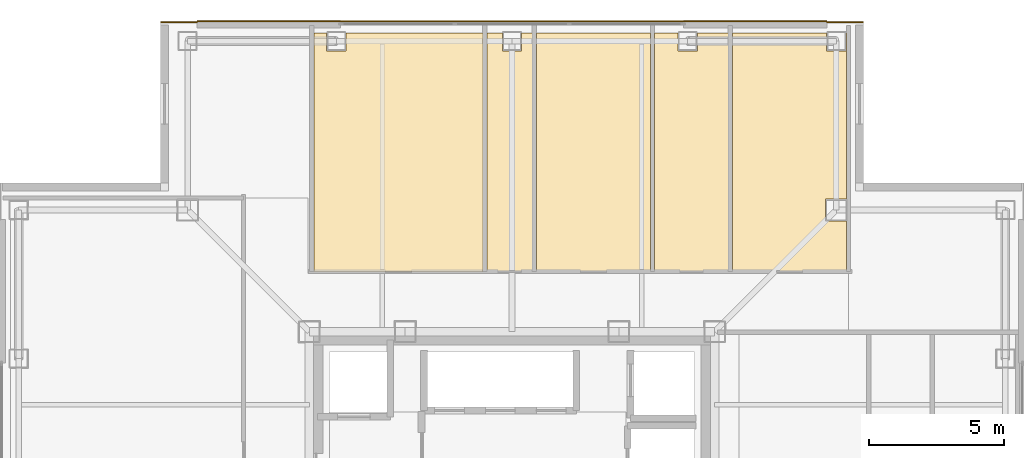
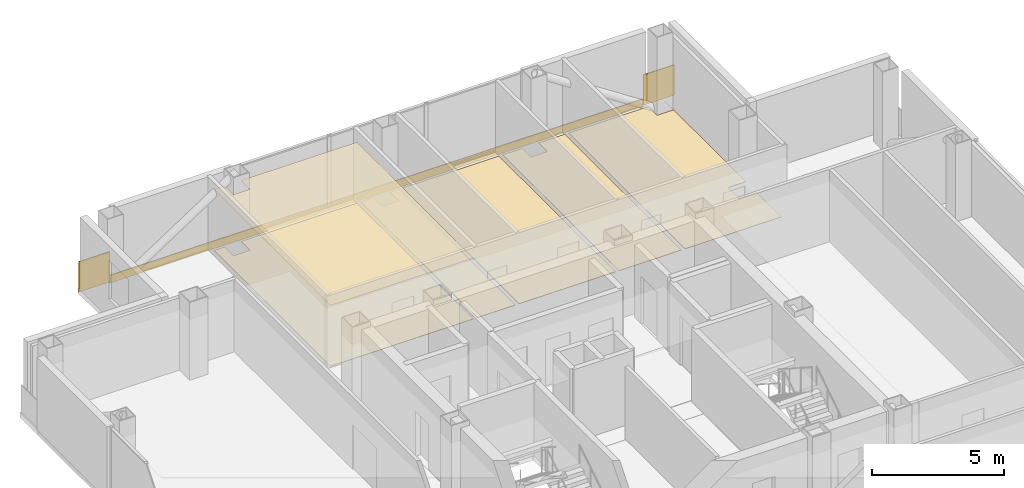
# One storey, part 16 of 16: 9 coverings.
"""IFC4 building model written with IfcOpenShell, lengths in metres."""

from ifc_helpers import new_model, si_unit, direction, frame, frame_2d, origin, place, context, subcontext, project, spatial, polyline, rectangle, outline, extrude, material, layer, layer_set, type_object, element, save


model = new_model("IFC4")

# Units and contexts
model_context = context("Model", 3, precision=1e-05, world=origin(), true_north=direction((0.0, 1.0)))
body_context = subcontext(model_context, "Body", "Model", "MODEL_VIEW")
ifc_project = project(units=[si_unit("LENGTHUNIT", "METRE"), si_unit("AREAUNIT", "SQUARE_METRE"), si_unit("VOLUMEUNIT", "CUBIC_METRE"), si_unit("PLANEANGLEUNIT", "RADIAN"), si_unit("MASSUNIT", "GRAM", prefix="KILO")], contexts=[model_context])

# Site, building, storey
site_placement = place(None, origin())
site = spatial("IfcSite", under=ifc_project, at=site_placement, CompositionType="ELEMENT")
building_placement = place(site_placement, origin())
building = spatial("IfcBuilding", under=site, at=building_placement, Name="Trevonay Congress Spire", CompositionType="ELEMENT")
storey_placement = place(building_placement, frame((0.0, 0.0, 268.39990234375)))
storey = spatial("IfcBuildingStorey", under=building, at=storey_placement, Name="L70", CompositionType="ELEMENT", Elevation=268.39990234375)

# Coverings
ifc_material_1 = material(Name="Acoustic Mineral Fibre Board", Category="gypsum")
ifc_layer_1 = layer(ifc_material_1, 0.02490234375, Name="Acoustic Mineral Fibre Board")
ifc_layer_set_1 = layer_set([ifc_layer_1], Name="Acoustic Mineral Fibre Board")
covering_type_1 = type_object("IfcCoveringType", Name="COV-CEIL-ACOUSTIC", PredefinedType="CEILING", material=ifc_layer_set_1)
covering_1_placement = place(storey_placement, frame((0.0, 0.0, 2.81005859375)))
element("IfcCovering", 1, at=covering_1_placement, inside=storey, type_object=covering_type_1, Name="L70 North Sky Conservatory Lounge acoustic suspended ceiling", PredefinedType="CEILING", context=body_context, shape_type="SweptSolid", body=[
    extrude(outline(polyline([(-1.080078125, 18.550048828125), (-1.080078125, 9.72998046875), (-7.320068359375, 9.72998046875), (-7.320068359375, 18.550048828125), (-6.860107421875, 18.550048828125), (-6.860107421875, 17.889892578125), (-6.139892578125, 17.889892578125), (-6.139892578125, 18.550048828125), (-1.080078125, 18.550048828125)])), origin(), (0.0, 0.0, 1.0), 0.025146484375),
])
ifc_material_2 = material(Name="Polished Granite Floor Tile", Category="masonry")
ifc_layer_2 = layer(ifc_material_2, 0.02001953125, Name="Polished Granite Floor Tile")
ifc_layer_set_2 = layer_set([ifc_layer_2], Name="Polished Granite Floor Tile")
covering_type_2 = type_object("IfcCoveringType", Name="COV-FLOOR-STONE", PredefinedType="FLOORING", material=ifc_layer_set_2)
covering_2_placement = place(storey_placement, origin())
element("IfcCovering", 2, at=covering_2_placement, inside=storey, type_object=covering_type_2, Name="L70 Accessible WC floor finish", PredefinedType="FLOORING", context=body_context, shape_type="SweptSolid", body=[
    extrude(outline(polyline([(0.75, 18.550048828125), (0.75, 9.72998046875), (-0.919921875, 9.72998046875), (-0.919921875, 18.550048828125), (-0.360107421875, 18.550048828125), (-0.360107421875, 17.889892578125), (0.360107421875, 17.889892578125), (0.360107421875, 18.550048828125), (0.75, 18.550048828125)])), origin(), (0.0, 0.0, 1.0), 0.02001953125),
])
covering_3_placement = place(storey_placement, origin())
element("IfcCovering", 3, at=covering_3_placement, inside=storey, type_object=covering_type_2, Name="L70 Floor Supplies and Copy Room floor finish", PredefinedType="FLOORING", context=body_context, shape_type="SweptSolid", body=[
    extrude(outline(polyline([(0.909912109375, 9.72998046875), (5.1201171875, 9.72998046875), (5.1201171875, 18.550048828125), (0.909912109375, 18.550048828125), (0.909912109375, 9.72998046875)])), origin(), (0.0, 0.0, 1.0), 0.02001953125),
])
covering_4_placement = place(storey_placement, origin())
element("IfcCovering", 4, at=covering_4_placement, inside=storey, type_object=covering_type_2, Name="L70 Female Restroom WC floor finish", PredefinedType="FLOORING", context=body_context, shape_type="SweptSolid", body=[
    extrude(outline(polyline([(8.0, 18.550048828125), (8.0, 9.72998046875), (5.280029296875, 9.72998046875), (5.280029296875, 18.550048828125), (6.139892578125, 18.550048828125), (6.139892578125, 17.889892578125), (6.860107421875, 17.889892578125), (6.860107421875, 18.550048828125), (8.0, 18.550048828125)])), origin(), (0.0, 0.0, 1.0), 0.02001953125),
])
covering_5_placement = place(storey_placement, origin())
element("IfcCovering", 5, at=covering_5_placement, inside=storey, type_object=covering_type_2, Name="L70 Floor Supplies and Copy Room floor finish", PredefinedType="FLOORING", context=body_context, shape_type="SweptSolid", body=[
    extrude(outline(polyline([(12.3701171875, 9.72998046875), (8.159912109375, 9.72998046875), (8.159912109375, 18.550048828125), (11.639892578125, 18.550048828125), (11.639892578125, 17.889892578125), (12.360107421875, 17.889892578125), (12.360107421875, 18.550048828125), (12.3701171875, 18.550048828125), (12.3701171875, 12.409912109375), (11.590087890625, 12.409912109375), (11.590087890625, 11.590087890625), (12.3701171875, 11.590087890625), (12.3701171875, 9.72998046875)])), origin(), (0.0, 0.0, 1.0), 0.02001953125),
])
ifc_material_3 = material(Name="Engineered Oak Flooring", Category="wood")
ifc_layer_3 = layer(ifc_material_3, 0.01806640625, Name="Engineered Oak Flooring")
ifc_layer_set_3 = layer_set([ifc_layer_3], Name="Engineered Oak Flooring")
covering_type_3 = type_object("IfcCoveringType", Name="COV-FLOOR-TIMBER", PredefinedType="FLOORING", material=ifc_layer_set_3)
covering_6_placement = place(storey_placement, origin())
element("IfcCovering", 6, at=covering_6_placement, inside=storey, type_object=covering_type_3, Name="L70 North Sky Conservatory Lounge floor finish", PredefinedType="FLOORING", context=body_context, shape_type="SweptSolid", body=[
    extrude(outline(polyline([(-1.080078125, 18.550048828125), (-1.080078125, 9.72998046875), (-7.320068359375, 9.72998046875), (-7.320068359375, 18.550048828125), (-6.860107421875, 18.550048828125), (-6.860107421875, 17.889892578125), (-6.139892578125, 17.889892578125), (-6.139892578125, 18.550048828125), (-1.080078125, 18.550048828125)])), origin(), (0.0, 0.0, 1.0), 0.01806640625),
])
ifc_material_4 = material(Name="Pale Anodised Aluminium EN AW-6063-T6", Category="aluminium")
ifc_layer_4 = layer(ifc_material_4, 0.0400390625, Name="Pale Anodised Aluminium EN AW-6063-T6")
ifc_layer_set_4 = layer_set([ifc_layer_4], Name="Pale Anodised Aluminium EN AW-6063-T6")
covering_type_4 = type_object("IfcCoveringType", Name="COV-SPANDREL-PALE-METAL", PredefinedType="CLADDING", material=ifc_layer_set_4)
covering_7_placement = place(storey_placement, frame((-11.64990234375, 18.97998046875, -0.239990234375), z_axis=(0.0, 0.0, 1.0), x_axis=(1.0, 0.0, 0.0)))
element("IfcCovering", 7, at=covering_7_placement, inside=storey, type_object=covering_type_4, Name="L70 N pale-metal slab-edge spandrel cladding", PredefinedType="CLADDING", context=body_context, shape_type="SweptSolid", body=[
    extrude(rectangle(XDim=23.2998046875, YDim=0.0400390625, at=frame_2d((11.64990234375, 0.0))), origin(), (0.0, 0.0, 1.0), 0.360107421875),
])
for number, where, z_axis, x_axis, name in (
    (8, (11.64990234375, 18.93994140625, -0.14990234375), (0.0, 0.0, 1.0), (1.0, 0.0, 0.0), "L70 NE corner pier spandrel cladding 2"),
    (9, (-11.64990234375, 18.93994140625, -0.14990234375), (0.0, 0.0, 1.0), (-1.0, 0.0, 0.0), "L70 NW corner pier spandrel cladding 2"),
):
    element("IfcCovering", number, at=place(storey_placement, frame(where, z_axis=z_axis, x_axis=x_axis)), inside=storey, type_object=covering_type_4, Name=name, PredefinedType="CLADDING", context=body_context, shape_type="SweptSolid", body=[
        extrude(rectangle(XDim=1.35009765625, YDim=0.0400390625, at=frame_2d((0.675048828125, 0.0))), origin(), (0.0, 0.0, 1.0), 1.39990234375),
    ])

save(model, "model.ifc")
